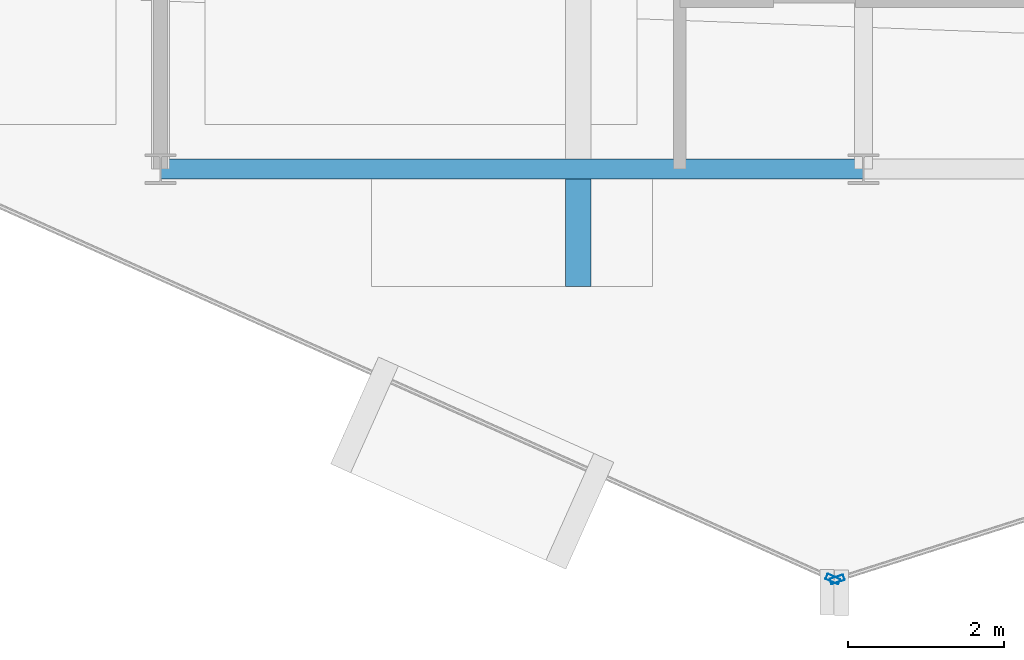
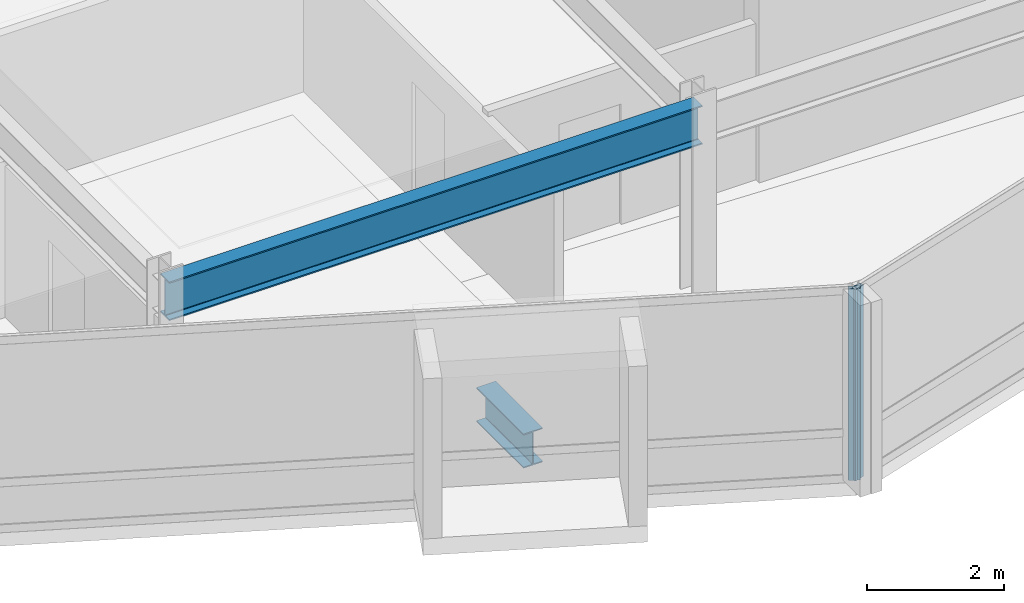
# One storey, part 4 of 19: 2 beams, 2 members, 2 elements without a shape of their own.
"""IFC4 building model written with IfcOpenShell, lengths in metres."""

import ifcopenshell
import ifcopenshell.guid

model = None  # the IFC model being written
_history = None  # IfcOwnerHistory: only IFC2X3 demands one
_inside = {}  # id of a spatial element -> (the spatial element, [elements in it])
_under = {}  # id of a project, library or spatial element -> (it, [spatial elements below it])
_declared = {}  # id of a project -> (the project, [libraries it declares])
_typed = {}  # id of a type object -> (the type object, [elements of that type])
_made_of = {}  # id of a material, layer set ... -> (it, [elements and type objects made of it])


def new_model(schema):
    """Start an empty IFC model of exactly this schema.

    Asked for "IFC4X3", IfcOpenShell would pick the latest addendum, in which some entities
    have other attributes; the version numbers below select the first issue.
    IFC2X3 requires an IfcOwnerHistory on every rooted entity: one is made here for all.
    """
    global model, _history
    if schema == "IFC4X3":
        model = ifcopenshell.file(schema_version=(4, 3, 0, 0))
    else:
        model = ifcopenshell.file(schema=schema)
    _inside.clear()
    _under.clear()
    _declared.clear()
    _typed.clear()
    _made_of.clear()
    _history = None
    if model.schema == "IFC2X3":
        org = make("IfcOrganization", Name="unknown")
        user = make(
            "IfcPersonAndOrganization",
            ThePerson=make("IfcPerson", FamilyName="unknown"),
            TheOrganization=org,
        )
        app = make(
            "IfcApplication",
            ApplicationDeveloper=org,
            Version="unknown",
            ApplicationFullName="unknown",
            ApplicationIdentifier="unknown",
        )
        _history = make(
            "IfcOwnerHistory",
            OwningUser=user,
            OwningApplication=app,
            ChangeAction="ADDED",
            CreationDate=0,
        )
    return model


def make(cls, **values):
    """One entity of the class cls with the attributes given. An attribute that is None is left unset."""
    return model.create_entity(
        cls, **{name: value for name, value in values.items() if value is not None}
    )


def rooted(cls, **values):
    """An entity with a GlobalId (a new one), such as an element, a storey or a relation."""
    return make(cls, GlobalId=ifcopenshell.guid.new(), OwnerHistory=_history, **values)


def si_unit(unit_type, name, prefix=None):
    """IfcSIUnit, for example si_unit("LENGTHUNIT", "METRE", prefix="MILLI")."""
    return make("IfcSIUnit", UnitType=unit_type, Prefix=prefix, Name=name)


def assignment(units):
    """IfcUnitAssignment: the units of a project."""
    return None if units is None else make("IfcUnitAssignment", Units=units)


def point(xyz):
    """IfcCartesianPoint."""
    return None if xyz is None else make("IfcCartesianPoint", Coordinates=xyz)


def direction(xyz):
    """IfcDirection."""
    return None if xyz is None else make("IfcDirection", DirectionRatios=xyz)


def frame(location, z_axis=None, x_axis=None):
    """IfcAxis2Placement3D, a coordinate frame: its origin and axes. An axis left out is left unset."""
    return make(
        "IfcAxis2Placement3D",
        Location=point(location),
        Axis=direction(z_axis),
        RefDirection=direction(x_axis),
    )


def frame_2d(location, x_axis=None):
    """IfcAxis2Placement2D, a coordinate frame in the plane: its origin and x axis."""
    return make(
        "IfcAxis2Placement2D", Location=point(location), RefDirection=direction(x_axis)
    )


def origin():
    """The frame at (0, 0, 0) with its axes left unset."""
    return frame((0.0, 0.0, 0.0))


def origin_2d():
    """The frame at (0, 0) in the plane with its x axis left unset."""
    return frame_2d((0.0, 0.0))


def place(relative_to, where):
    """IfcLocalPlacement: puts the frame where relative to a parent placement (None: the world)."""
    return make(
        "IfcLocalPlacement", PlacementRelTo=relative_to, RelativePlacement=where
    )


def context(
    kind, dimensions, precision=None, world=None, true_north=None, identifier=None
):
    """IfcGeometricRepresentationContext, for example the 3D "Model" context."""
    return make(
        "IfcGeometricRepresentationContext",
        ContextIdentifier=identifier,
        ContextType=kind,
        CoordinateSpaceDimension=dimensions,
        Precision=precision,
        WorldCoordinateSystem=world,
        TrueNorth=true_north,
    )


def subcontext(parent, identifier, kind, view, scale=None):
    """IfcGeometricRepresentationSubContext, for example "Body" below "Model"."""
    return make(
        "IfcGeometricRepresentationSubContext",
        ContextIdentifier=identifier,
        ContextType=kind,
        ParentContext=parent,
        TargetScale=scale,
        TargetView=view,
    )


def project(units=None, contexts=None):
    """IfcProject with its units and contexts."""
    return rooted(
        "IfcProject",
        Name="project",
        RepresentationContexts=contexts,
        UnitsInContext=assignment(units),
    )


def spatial(cls, under=None, at=None, **own):
    """A site, building, storey or space (cls), placed at a placement, below another one or the project."""
    s = rooted(cls, ObjectPlacement=at, **own)
    if under is not None:
        _under.setdefault(under.id(), (under, []))[1].append(s)
    return s


def profile(cls, at=None, kind="AREA", **sizes):
    """A parametric profile (cls). Its sizes go by their IFC names, for example OverallWidth=200.0."""
    return make(cls, ProfileType=kind, Position=at, **sizes)


def hollow_rectangle(**sizes):
    """IfcRectangleHollowProfileDef."""
    return profile("IfcRectangleHollowProfileDef", **sizes)


def i_section(**sizes):
    """IfcIShapeProfileDef."""
    return profile("IfcIShapeProfileDef", **sizes)


def extrude(swept, where, along, depth):
    """IfcExtrudedAreaSolid: the profile swept, set in the frame where, extruded along a direction by depth."""
    return make(
        "IfcExtrudedAreaSolid",
        SweptArea=swept,
        Position=where,
        ExtrudedDirection=direction(along),
        Depth=depth,
    )


def shape(context_of_items, identifier, shape_type, items):
    """IfcShapeRepresentation: the items that make up one representation, for example the "Body"."""
    return make(
        "IfcShapeRepresentation",
        ContextOfItems=context_of_items,
        RepresentationIdentifier=identifier,
        RepresentationType=shape_type,
        Items=items,
    )


def material(Name=None, Category=None):
    """IfcMaterial."""
    return make("IfcMaterial", Name=Name, Category=Category)


def layer(
    of_material, thickness, ventilated=None, Name=None, Category=None, Priority=None
):
    """IfcMaterialLayer: one layer of a wall or slab, of a material (None: an air gap)."""
    return make(
        "IfcMaterialLayer",
        Material=of_material,
        LayerThickness=thickness,
        IsVentilated=ventilated,
        Name=Name,
        Category=Category,
        Priority=Priority,
    )


def layer_set(layers, Name=None):
    """IfcMaterialLayerSet."""
    return make("IfcMaterialLayerSet", MaterialLayers=layers, LayerSetName=Name)


def material_profile(
    of_material, cross_section, Name=None, Category=None, Priority=None
):
    """IfcMaterialProfile: a cross section and its material."""
    return make(
        "IfcMaterialProfile",
        Name=Name,
        Material=of_material,
        Profile=cross_section,
        Priority=Priority,
        Category=Category,
    )


def profile_set(profiles, Name=None, composite=None):
    """IfcMaterialProfileSet."""
    return make(
        "IfcMaterialProfileSet",
        Name=Name,
        MaterialProfiles=profiles,
        CompositeProfile=composite,
    )


def made_of(thing, what):
    """Note that an element or type object is made of a material, layer set ...; save() writes the relation."""
    if what is not None:
        _made_of.setdefault(what.id(), (what, []))[1].append(thing)
    return thing


def type_object(cls, material=None, **own):
    """A type object (cls), such as IfcWallType, which elements share."""
    return made_of(rooted(cls, **own), material)


def element(
    cls,
    number,
    at=None,
    inside=None,
    cuts=None,
    type_object=None,
    material=None,
    context=None,
    identifier="Body",
    shape_type=None,
    held_by="IfcProductDefinitionShape",
    body=None,
    shapes=None,
    **own,
):
    """One element of the class cls, such as IfcWall. Its Tag is "e" and its number.

    at: its placement. inside: the storey or other place that contains it. cuts: it is an
    opening in that element (IfcRelVoidsElement). A single representation is given by context,
    identifier, shape_type and body (its items); several are given by shapes. held_by: the class
    of the entity that holds the representations. save() writes the other relations.
    """
    e = rooted(cls, Tag="e%d" % number, ObjectPlacement=at, **own)
    if body is not None:
        shapes = [shape(context, identifier, shape_type, body)]
    if shapes is not None:
        e.Representation = make(held_by, Representations=shapes)
    if inside is not None:
        _inside.setdefault(inside.id(), (inside, []))[1].append(e)
    if cuts is not None:
        rooted(
            "IfcRelVoidsElement", RelatingBuildingElement=cuts, RelatedOpeningElement=e
        )
    if type_object is not None:
        _typed.setdefault(type_object.id(), (type_object, []))[1].append(e)
    return made_of(e, material)


def aggregate(whole, parts):
    """IfcRelAggregates: a whole, such as a stair, and the parts it consists of."""
    return rooted("IfcRelAggregates", RelatingObject=whole, RelatedObjects=parts)


def save(model, path):
    """Write the relations noted so far, then the file.

    IfcRelAggregates (storeys below a building ...), IfcRelContainedInSpatialStructure (elements
    in a storey), IfcRelDefinesByType, IfcRelAssociatesMaterial and IfcRelDeclares: one each for
    every whole, place, type object, material and project.
    """
    for whole, parts in _under.values():
        aggregate(whole, parts)
    for where, things in _inside.values():
        rooted(
            "IfcRelContainedInSpatialStructure",
            RelatedElements=things,
            RelatingStructure=where,
        )
    for kind, things in _typed.values():
        rooted("IfcRelDefinesByType", RelatedObjects=things, RelatingType=kind)
    for what, things in _made_of.values():
        rooted("IfcRelAssociatesMaterial", RelatedObjects=things, RelatingMaterial=what)
    for by, libraries in _declared.values():
        rooted("IfcRelDeclares", RelatingContext=by, RelatedDefinitions=libraries)
    model.write(path)


model = new_model("IFC4")

# Units and contexts
model_context = context("Model", 3, precision=1e-05, world=origin(), true_north=direction((0.0, 1.0)))
body_context = subcontext(model_context, "Body", "Model", "MODEL_VIEW")
ifc_project = project(units=[si_unit("LENGTHUNIT", "METRE"), si_unit("AREAUNIT", "SQUARE_METRE"), si_unit("VOLUMEUNIT", "CUBIC_METRE"), si_unit("PLANEANGLEUNIT", "RADIAN"), si_unit("MASSUNIT", "GRAM", prefix="KILO")], contexts=[model_context])

# Site, building, storey
site_placement = place(None, origin())
site = spatial("IfcSite", under=ifc_project, at=site_placement, CompositionType="ELEMENT")
building_placement = place(site_placement, origin())
building = spatial("IfcBuilding", under=site, at=building_placement, Name="Solvaryn Broadcast Tower", CompositionType="ELEMENT")
storey_placement = place(building_placement, frame((0.0, 0.0, 240.800048828125)))
storey = spatial("IfcBuildingStorey", under=building, at=storey_placement, Name="L60", CompositionType="ELEMENT", Elevation=240.800048828125)

# Beams
ifc_material_1 = material(Name="Steel ASTM A992 Grade 50", Category="steel")
ifc_material_profile_1 = material_profile(ifc_material_1, i_section(OverallWidth=0.323974609375, OverallDepth=0.611083984375, WebThickness=0.0126953125, FlangeThickness=0.01904296875, FilletRadius=0.014892578125, at=origin_2d()))
ifc_profile_set_1 = profile_set([ifc_material_profile_1], Name="Steel ASTM A992 Grade 50")
beam_type_1 = type_object("IfcBeamType", Name="BM-CANT-TER", PredefinedType="BEAM", material=ifc_profile_set_1)
beam_1_placement = place(storey_placement, frame((23.35009765625, 8.875, -0.58544921875), z_axis=(0.0, -1.0, 0.0), x_axis=(1.0, 0.0, 0.0)))
element("IfcBeam", 1, at=beam_1_placement, inside=storey, type_object=beam_type_1, Name="L60 Bay-Box Cantilever Bracket 1", PredefinedType="BEAM", context=body_context, shape_type="SweptSolid", body=[
    extrude(i_section(OverallWidth=0.323974609375, OverallDepth=0.611083984375, WebThickness=0.0126953125, FlangeThickness=0.01904296875, FilletRadius=0.014892578125, at=origin_2d()), origin(), (0.0, 0.0, 1.0), 1.375),
])
ifc_material_2 = material(Name="Steel ASTM A992 Grade 50", Category="steel")
ifc_material_profile_2 = material_profile(ifc_material_2, i_section(OverallWidth=0.256103515625, OverallDepth=0.693115234375, WebThickness=0.014404296875, FlangeThickness=0.023681640625, FilletRadius=0.01611328125, at=origin_2d()))
ifc_profile_set_2 = profile_set([ifc_material_profile_2], Name="Steel ASTM A992 Grade 50")
beam_type_2 = type_object("IfcBeamType", Name="BM-SP3-W27X114", PredefinedType="USERDEFINED", material=ifc_profile_set_2)
beam_2_placement = place(storey_placement, frame((18.0, 9.0, 3.073486328125), z_axis=(1.0, 0.0, 0.0), x_axis=(0.0, 1.0, 0.0)))
element("IfcBeam", 2, at=beam_2_placement, inside=storey, type_object=beam_type_2, Name="L60 Spandrel Beam X (18-27 @ Y=9)", ObjectType="SPANDREL", PredefinedType="USERDEFINED", context=body_context, shape_type="SweptSolid", body=[
    extrude(i_section(OverallWidth=0.256103515625, OverallDepth=0.693115234375, WebThickness=0.014404296875, FlangeThickness=0.023681640625, FilletRadius=0.01611328125, at=origin_2d()), origin(), (0.0, 0.0, 1.0), 9.0),
])

# Curtain wall, member
ifc_material_3 = material(Name="Aluminium and Terracotta Unitised Curtain Wall", Category="masonry")
ifc_layer = layer(ifc_material_3, 0.199951171875)
ifc_layer_set = layer_set([ifc_layer], Name="CW-SYS2-LOWMID")
curtain_wall_type = type_object("IfcCurtainWallType", Name="CW-SYS2-LOWMID", PredefinedType="NOTDEFINED", material=ifc_layer_set)
curtain_wall_1_placement = place(storey_placement, origin())
curtain_wall_1 = element("IfcCurtainWall", 3, at=curtain_wall_1_placement, inside=storey, type_object=curtain_wall_type, Name="L60 Curtain Wall DR3", PredefinedType="NOTDEFINED")
ifc_material_4 = material(Name="Anodised Aluminium 6063-T6", Category="aluminium")
ifc_material_profile_3 = material_profile(ifc_material_4, hollow_rectangle(XDim=0.074951171875, YDim=0.179931640625, WallThickness=0.00390625, InnerFilletRadius=0.00390625, OuterFilletRadius=0.008056640625, at=origin_2d()))
ifc_profile_set_3 = profile_set([ifc_material_profile_3], Name="Anodised Aluminium 6063-T6")
member_type = type_object("IfcMemberType", Name="CW-MUL-180", PredefinedType="MULLION", material=ifc_profile_set_3)
member_1_placement = place(storey_placement, frame((26.608642578125, 3.750244140625, 0.0), z_axis=(0.0, 0.0, 1.0), x_axis=(0.408466010682, 0.912773530574, 0.0)))
member_1 = element("IfcMember", 4, at=member_1_placement, type_object=member_type, Name="CWS2 mullion 2", PredefinedType="MULLION", context=body_context, shape_type="SweptSolid", body=[
    extrude(hollow_rectangle(XDim=0.074951171875, YDim=0.179931640625, WallThickness=0.00390625, InnerFilletRadius=0.00390625, OuterFilletRadius=0.008056640625, at=origin_2d()), origin(), (0.0, 0.0, 1.0), 3.419921875),
])
aggregate(curtain_wall_1, [member_1])

curtain_wall_2_placement = place(storey_placement, origin())
curtain_wall_2 = element("IfcCurtainWall", 5, at=curtain_wall_2_placement, inside=storey, type_object=curtain_wall_type, Name="L60 Curtain Wall DR4", PredefinedType="NOTDEFINED")
member_2_placement = place(storey_placement, frame((26.66455078125, 3.7470703125, 0.0), z_axis=(0.0, 0.0, 1.0), x_axis=(-0.30361564569, 0.952794594701, 0.0)))
member_2 = element("IfcMember", 6, at=member_2_placement, type_object=member_type, Name="CWS2 mullion 1", PredefinedType="MULLION", context=body_context, shape_type="SweptSolid", body=[
    extrude(hollow_rectangle(XDim=0.074951171875, YDim=0.179931640625, WallThickness=0.00390625, InnerFilletRadius=0.00390625, OuterFilletRadius=0.008056640625, at=origin_2d()), origin(), (0.0, 0.0, 1.0), 3.419921875),
])
aggregate(curtain_wall_2, [member_2])

save(model, "model.ifc")
